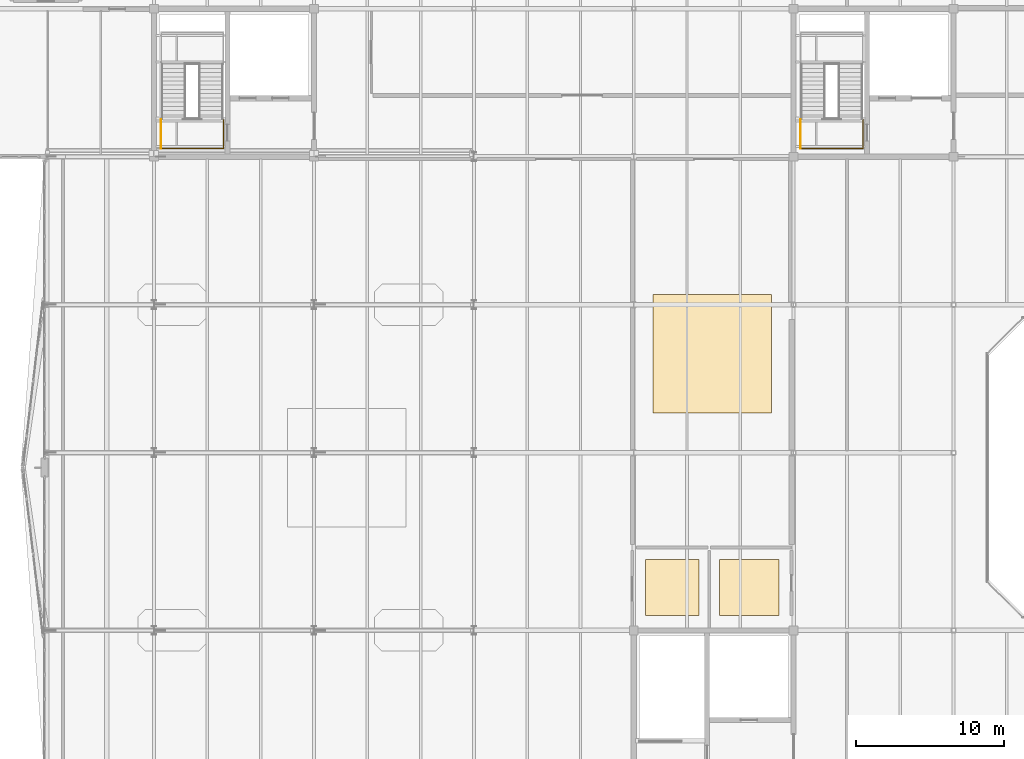
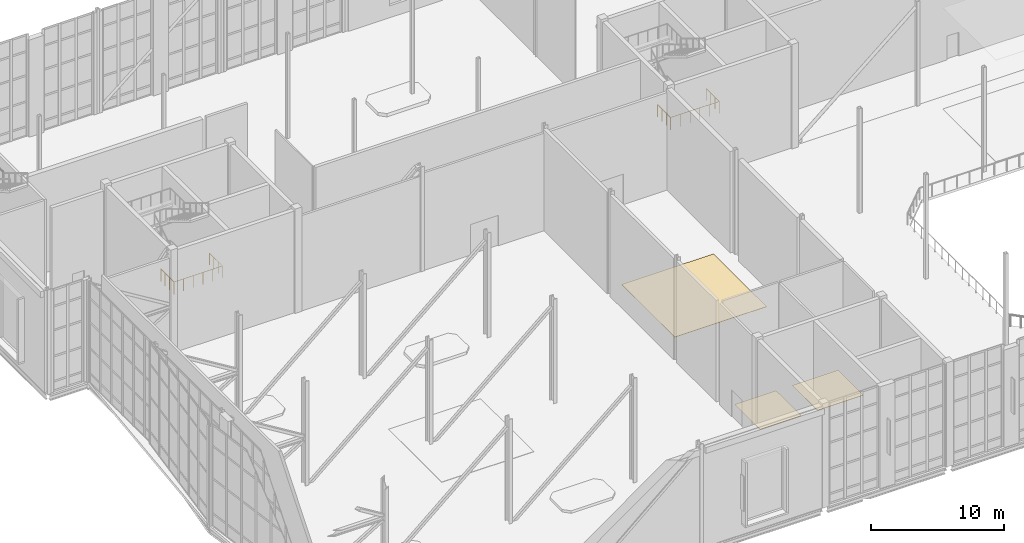
# One storey, part 92 of 100: 4 railings, 3 coverings.
"""IFC4 building model written with IfcOpenShell, lengths in metres."""

from ifc_helpers import new_model, si_unit, direction, frame, origin, origin_2d, place, context, subcontext, project, spatial, rectangle, circle, extrude, material, layer, layer_set, type_object, element, save


model = new_model("IFC4")

# Units and contexts
model_context = context("Model", 3, precision=1e-05, world=origin(), true_north=direction((0.0, 1.0)))
body_context = subcontext(model_context, "Body", "Model", "MODEL_VIEW")
ifc_project = project(units=[si_unit("LENGTHUNIT", "METRE"), si_unit("AREAUNIT", "SQUARE_METRE"), si_unit("VOLUMEUNIT", "CUBIC_METRE"), si_unit("PLANEANGLEUNIT", "RADIAN"), si_unit("MASSUNIT", "GRAM", prefix="KILO")], contexts=[model_context])

# Site, building, storey
site_placement = place(None, origin())
site = spatial("IfcSite", under=ifc_project, at=site_placement, CompositionType="ELEMENT")
building_placement = place(site_placement, origin())
building = spatial("IfcBuilding", under=site, at=building_placement, Name="Tasgan Crest Museum", CompositionType="ELEMENT")
storey_placement = place(building_placement, frame((0.0, 0.0, 14.39990234375)))
storey = spatial("IfcBuildingStorey", under=building, at=storey_placement, Name="L03", CompositionType="ELEMENT", Elevation=14.39990234375)

# Coverings
ifc_material_1 = material(Name="Polished Granite Terrazzo", Category="masonry")
ifc_layer = layer(ifc_material_1, 0.030029296875, Name="COV-FLOOR-TERRAZZO")
ifc_layer_set = layer_set([ifc_layer], Name="Polished Granite Terrazzo")
covering_type = type_object("IfcCoveringType", Name="COV-FLOOR-TERRAZZO", PredefinedType="FLOORING", material=ifc_layer_set)
covering_1_placement = place(storey_placement, frame((45.800048828125, 52.89990234375, 0.0), z_axis=(0.0, 0.0, 1.0), x_axis=(1.0, 0.0, 0.0)))
element("IfcCovering", 1, at=covering_1_placement, inside=storey, type_object=covering_type, Name="Third Floor Public WC floor finish", PredefinedType="FLOORING", context=body_context, shape_type="SweptSolid", body=[
    extrude(rectangle(XDim=3.60009765625, YDim=3.800048828125, at=origin_2d()), origin(), (0.0, 0.0, 1.0), 0.030029296875),
])
covering_2_placement = place(storey_placement, frame((51.0, 52.89990234375, 0.0), z_axis=(0.0, 0.0, 1.0), x_axis=(1.0, 0.0, 0.0)))
element("IfcCovering", 2, at=covering_2_placement, inside=storey, type_object=covering_type, Name="Third Floor Accessible WC floor finish", PredefinedType="FLOORING", context=body_context, shape_type="SweptSolid", body=[
    extrude(rectangle(XDim=4.0, YDim=3.800048828125, at=origin_2d()), origin(), (0.0, 0.0, 1.0), 0.030029296875),
])
covering_3_placement = place(storey_placement, frame((48.5, 68.699951171875, 0.0), z_axis=(0.0, 0.0, 1.0), x_axis=(1.0, 0.0, 0.0)))
element("IfcCovering", 3, at=covering_3_placement, inside=storey, type_object=covering_type, Name="Large Skeleton Rigging and Conservation Studio floor finish", PredefinedType="FLOORING", context=body_context, shape_type="SweptSolid", body=[
    extrude(rectangle(XDim=8.0, YDim=8.0, at=origin_2d()), origin(), (0.0, 0.0, 1.0), 0.030029296875),
])

# Railings
ifc_material_2 = material(Name="Brushed Bronze and Toughened Glass", Category="glass")
railing_type = type_object("IfcRailingType", Name="RL-INT-GUARD-1120", PredefinedType="GUARDRAIL", material=ifc_material_2)
railing_1_placement = place(storey_placement, frame((11.260009765625, 82.56005859375, 4.800048828125)))
element("IfcRailing", 4, at=railing_1_placement, inside=storey, type_object=railing_type, Name="Stair intermediate rear guard ST-NW-L03", PredefinedType="GUARDRAIL", context=body_context, shape_type="SweptSolid", body=[
    extrude(circle(Radius=0.02392578125, at=origin_2d()), frame((0.0, 0.0, 1.09619140625), z_axis=(1.0, 0.0, 0.0), x_axis=(0.0, 1.0, 0.0)), (0.0, 0.0, 1.0), 4.22998046875),
    extrude(circle(Radius=0.02392578125, at=origin_2d()), frame((4.22998046875, 0.0, 1.09619140625), z_axis=(0.0, 1.0, 0.0), x_axis=(-1.0, 0.0, 0.0)), (0.0, 0.0, 1.0), 1.949951171875),
    extrude(circle(Radius=0.02099609375, at=origin_2d()), origin(), (0.0, 0.0, 1.0), 1.072021484375),
    extrude(circle(Radius=0.02099609375, at=origin_2d()), frame((0.845947265625, 0.0, 0.0)), (0.0, 0.0, 1.0), 1.072021484375),
    extrude(circle(Radius=0.02099609375, at=origin_2d()), frame((1.69189453125, 0.0, 0.0)), (0.0, 0.0, 1.0), 1.072021484375),
    extrude(circle(Radius=0.02099609375, at=origin_2d()), frame((2.5380859375, 0.0, 0.0)), (0.0, 0.0, 1.0), 1.072021484375),
    extrude(circle(Radius=0.02099609375, at=origin_2d()), frame((3.384033203125, 0.0, 0.0)), (0.0, 0.0, 1.0), 1.072021484375),
    extrude(circle(Radius=0.02099609375, at=origin_2d()), frame((4.22998046875, 0.0, 0.0)), (0.0, 0.0, 1.0), 1.072021484375),
    extrude(circle(Radius=0.02099609375, at=origin_2d()), frame((4.22998046875, 0.64990234375, 0.0)), (0.0, 0.0, 1.0), 1.072021484375),
    extrude(circle(Radius=0.02099609375, at=origin_2d()), frame((4.22998046875, 1.300048828125, 0.0)), (0.0, 0.0, 1.0), 1.072021484375),
    extrude(circle(Radius=0.02099609375, at=origin_2d()), frame((4.22998046875, 1.949951171875, 0.0)), (0.0, 0.0, 1.0), 1.072021484375),
])
railing_2_placement = place(storey_placement, frame((11.260009765625, 82.56005859375, 4.800048828125)))
element("IfcRailing", 5, at=railing_2_placement, inside=storey, type_object=railing_type, Name="Stair intermediate side guard ST-NW-L03", PredefinedType="GUARDRAIL", context=body_context, shape_type="SweptSolid", body=[
    extrude(circle(Radius=0.02392578125, at=origin_2d()), frame((0.0, 0.0, 1.09619140625), z_axis=(0.0, 1.0, 0.0), x_axis=(-1.0, 0.0, 0.0)), (0.0, 0.0, 1.0), 1.949951171875),
    extrude(circle(Radius=0.02099609375, at=origin_2d()), origin(), (0.0, 0.0, 1.0), 1.072021484375),
    extrude(circle(Radius=0.02099609375, at=origin_2d()), frame((0.0, 0.64990234375, 0.0)), (0.0, 0.0, 1.0), 1.072021484375),
    extrude(circle(Radius=0.02099609375, at=origin_2d()), frame((0.0, 1.300048828125, 0.0)), (0.0, 0.0, 1.0), 1.072021484375),
    extrude(circle(Radius=0.02099609375, at=origin_2d()), frame((0.0, 1.949951171875, 0.0)), (0.0, 0.0, 1.0), 1.072021484375),
])
railing_3_placement = place(storey_placement, frame((54.4599609375, 82.56005859375, 4.800048828125)))
element("IfcRailing", 6, at=railing_3_placement, inside=storey, type_object=railing_type, Name="Stair intermediate rear guard ST-NC-L03", PredefinedType="GUARDRAIL", context=body_context, shape_type="SweptSolid", body=[
    extrude(circle(Radius=0.02392578125, at=origin_2d()), frame((0.0, 0.0, 1.09619140625), z_axis=(1.0, 0.0, 0.0), x_axis=(0.0, 1.0, 0.0)), (0.0, 0.0, 1.0), 4.22998046875),
    extrude(circle(Radius=0.02392578125, at=origin_2d()), frame((4.22998046875, 0.0, 1.09619140625), z_axis=(0.0, 1.0, 0.0), x_axis=(-1.0, 0.0, 0.0)), (0.0, 0.0, 1.0), 1.949951171875),
    extrude(circle(Radius=0.02099609375, at=origin_2d()), origin(), (0.0, 0.0, 1.0), 1.072021484375),
    extrude(circle(Radius=0.02099609375, at=origin_2d()), frame((0.845947265625, 0.0, 0.0)), (0.0, 0.0, 1.0), 1.072021484375),
    extrude(circle(Radius=0.02099609375, at=origin_2d()), frame((1.69189453125, 0.0, 0.0)), (0.0, 0.0, 1.0), 1.072021484375),
    extrude(circle(Radius=0.02099609375, at=origin_2d()), frame((2.5380859375, 0.0, 0.0)), (0.0, 0.0, 1.0), 1.072021484375),
    extrude(circle(Radius=0.02099609375, at=origin_2d()), frame((3.384033203125, 0.0, 0.0)), (0.0, 0.0, 1.0), 1.072021484375),
    extrude(circle(Radius=0.02099609375, at=origin_2d()), frame((4.22998046875, 0.0, 0.0)), (0.0, 0.0, 1.0), 1.072021484375),
    extrude(circle(Radius=0.02099609375, at=origin_2d()), frame((4.22998046875, 0.64990234375, 0.0)), (0.0, 0.0, 1.0), 1.072021484375),
    extrude(circle(Radius=0.02099609375, at=origin_2d()), frame((4.22998046875, 1.300048828125, 0.0)), (0.0, 0.0, 1.0), 1.072021484375),
    extrude(circle(Radius=0.02099609375, at=origin_2d()), frame((4.22998046875, 1.949951171875, 0.0)), (0.0, 0.0, 1.0), 1.072021484375),
])
railing_4_placement = place(storey_placement, frame((54.4599609375, 82.56005859375, 4.800048828125)))
element("IfcRailing", 7, at=railing_4_placement, inside=storey, type_object=railing_type, Name="Stair intermediate side guard ST-NC-L03", PredefinedType="GUARDRAIL", context=body_context, shape_type="SweptSolid", body=[
    extrude(circle(Radius=0.02392578125, at=origin_2d()), frame((0.0, 0.0, 1.09619140625), z_axis=(0.0, 1.0, 0.0), x_axis=(-1.0, 0.0, 0.0)), (0.0, 0.0, 1.0), 1.949951171875),
    extrude(circle(Radius=0.02099609375, at=origin_2d()), origin(), (0.0, 0.0, 1.0), 1.072021484375),
    extrude(circle(Radius=0.02099609375, at=origin_2d()), frame((0.0, 0.64990234375, 0.0)), (0.0, 0.0, 1.0), 1.072021484375),
    extrude(circle(Radius=0.02099609375, at=origin_2d()), frame((0.0, 1.300048828125, 0.0)), (0.0, 0.0, 1.0), 1.072021484375),
    extrude(circle(Radius=0.02099609375, at=origin_2d()), frame((0.0, 1.949951171875, 0.0)), (0.0, 0.0, 1.0), 1.072021484375),
])

save(model, "model.ifc")
